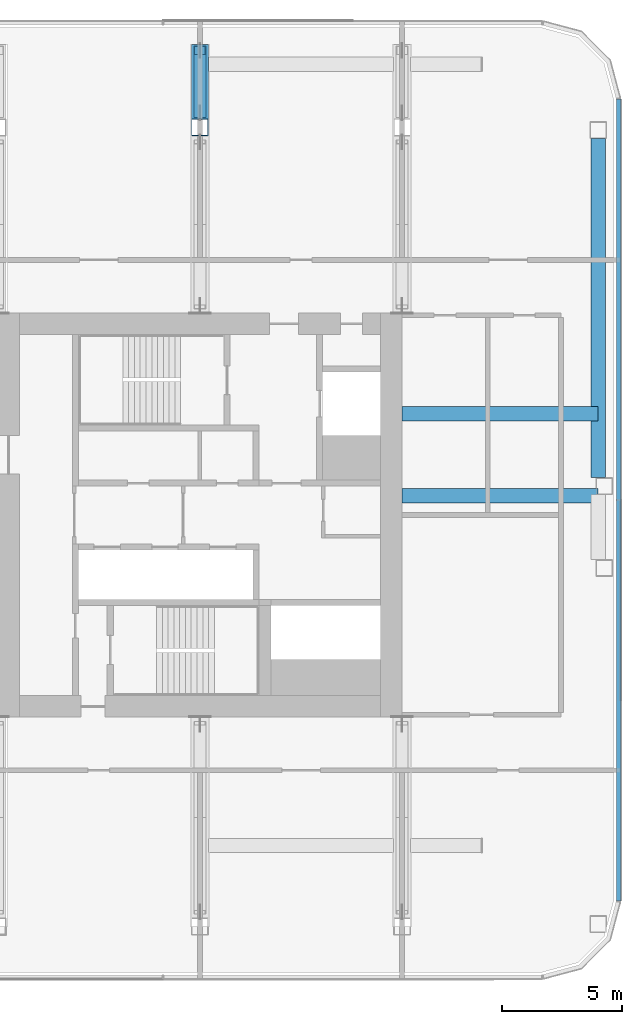
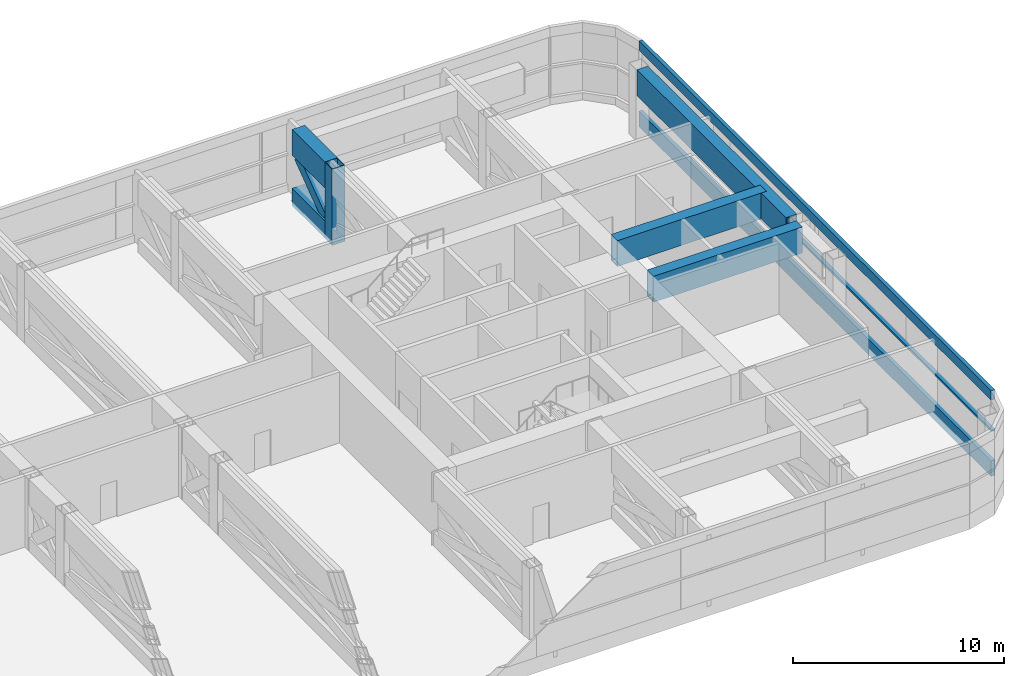
# One storey, part 12 of 33: 7 members, 3 beams, 1 element without a shape of its own.
"""IFC4 building model written with IfcOpenShell, lengths in metres."""

import ifcopenshell
import ifcopenshell.guid

model = None  # the IFC model being written
_history = None  # IfcOwnerHistory: only IFC2X3 demands one
_inside = {}  # id of a spatial element -> (the spatial element, [elements in it])
_under = {}  # id of a project, library or spatial element -> (it, [spatial elements below it])
_declared = {}  # id of a project -> (the project, [libraries it declares])
_typed = {}  # id of a type object -> (the type object, [elements of that type])
_made_of = {}  # id of a material, layer set ... -> (it, [elements and type objects made of it])


def new_model(schema):
    """Start an empty IFC model of exactly this schema.

    Asked for "IFC4X3", IfcOpenShell would pick the latest addendum, in which some entities
    have other attributes; the version numbers below select the first issue.
    IFC2X3 requires an IfcOwnerHistory on every rooted entity: one is made here for all.
    """
    global model, _history
    if schema == "IFC4X3":
        model = ifcopenshell.file(schema_version=(4, 3, 0, 0))
    else:
        model = ifcopenshell.file(schema=schema)
    _inside.clear()
    _under.clear()
    _declared.clear()
    _typed.clear()
    _made_of.clear()
    _history = None
    if model.schema == "IFC2X3":
        org = make("IfcOrganization", Name="unknown")
        user = make(
            "IfcPersonAndOrganization",
            ThePerson=make("IfcPerson", FamilyName="unknown"),
            TheOrganization=org,
        )
        app = make(
            "IfcApplication",
            ApplicationDeveloper=org,
            Version="unknown",
            ApplicationFullName="unknown",
            ApplicationIdentifier="unknown",
        )
        _history = make(
            "IfcOwnerHistory",
            OwningUser=user,
            OwningApplication=app,
            ChangeAction="ADDED",
            CreationDate=0,
        )
    return model


def make(cls, **values):
    """One entity of the class cls with the attributes given. An attribute that is None is left unset."""
    return model.create_entity(
        cls, **{name: value for name, value in values.items() if value is not None}
    )


def rooted(cls, **values):
    """An entity with a GlobalId (a new one), such as an element, a storey or a relation."""
    return make(cls, GlobalId=ifcopenshell.guid.new(), OwnerHistory=_history, **values)


def si_unit(unit_type, name, prefix=None):
    """IfcSIUnit, for example si_unit("LENGTHUNIT", "METRE", prefix="MILLI")."""
    return make("IfcSIUnit", UnitType=unit_type, Prefix=prefix, Name=name)


def assignment(units):
    """IfcUnitAssignment: the units of a project."""
    return None if units is None else make("IfcUnitAssignment", Units=units)


def point(xyz):
    """IfcCartesianPoint."""
    return None if xyz is None else make("IfcCartesianPoint", Coordinates=xyz)


def direction(xyz):
    """IfcDirection."""
    return None if xyz is None else make("IfcDirection", DirectionRatios=xyz)


def frame(location, z_axis=None, x_axis=None):
    """IfcAxis2Placement3D, a coordinate frame: its origin and axes. An axis left out is left unset."""
    return make(
        "IfcAxis2Placement3D",
        Location=point(location),
        Axis=direction(z_axis),
        RefDirection=direction(x_axis),
    )


def frame_2d(location, x_axis=None):
    """IfcAxis2Placement2D, a coordinate frame in the plane: its origin and x axis."""
    return make(
        "IfcAxis2Placement2D", Location=point(location), RefDirection=direction(x_axis)
    )


def origin():
    """The frame at (0, 0, 0) with its axes left unset."""
    return frame((0.0, 0.0, 0.0))


def origin_2d():
    """The frame at (0, 0) in the plane with its x axis left unset."""
    return frame_2d((0.0, 0.0))


def place(relative_to, where):
    """IfcLocalPlacement: puts the frame where relative to a parent placement (None: the world)."""
    return make(
        "IfcLocalPlacement", PlacementRelTo=relative_to, RelativePlacement=where
    )


def context(
    kind, dimensions, precision=None, world=None, true_north=None, identifier=None
):
    """IfcGeometricRepresentationContext, for example the 3D "Model" context."""
    return make(
        "IfcGeometricRepresentationContext",
        ContextIdentifier=identifier,
        ContextType=kind,
        CoordinateSpaceDimension=dimensions,
        Precision=precision,
        WorldCoordinateSystem=world,
        TrueNorth=true_north,
    )


def subcontext(parent, identifier, kind, view, scale=None):
    """IfcGeometricRepresentationSubContext, for example "Body" below "Model"."""
    return make(
        "IfcGeometricRepresentationSubContext",
        ContextIdentifier=identifier,
        ContextType=kind,
        ParentContext=parent,
        TargetScale=scale,
        TargetView=view,
    )


def project(units=None, contexts=None):
    """IfcProject with its units and contexts."""
    return rooted(
        "IfcProject",
        Name="project",
        RepresentationContexts=contexts,
        UnitsInContext=assignment(units),
    )


def spatial(cls, under=None, at=None, **own):
    """A site, building, storey or space (cls), placed at a placement, below another one or the project."""
    s = rooted(cls, ObjectPlacement=at, **own)
    if under is not None:
        _under.setdefault(under.id(), (under, []))[1].append(s)
    return s


def profile(cls, at=None, kind="AREA", **sizes):
    """A parametric profile (cls). Its sizes go by their IFC names, for example OverallWidth=200.0."""
    return make(cls, ProfileType=kind, Position=at, **sizes)


def rectangle(**sizes):
    """IfcRectangleProfileDef."""
    return profile("IfcRectangleProfileDef", **sizes)


def hollow_rectangle(**sizes):
    """IfcRectangleHollowProfileDef."""
    return profile("IfcRectangleHollowProfileDef", **sizes)


def extrude(swept, where, along, depth):
    """IfcExtrudedAreaSolid: the profile swept, set in the frame where, extruded along a direction by depth."""
    return make(
        "IfcExtrudedAreaSolid",
        SweptArea=swept,
        Position=where,
        ExtrudedDirection=direction(along),
        Depth=depth,
    )


def shape(context_of_items, identifier, shape_type, items):
    """IfcShapeRepresentation: the items that make up one representation, for example the "Body"."""
    return make(
        "IfcShapeRepresentation",
        ContextOfItems=context_of_items,
        RepresentationIdentifier=identifier,
        RepresentationType=shape_type,
        Items=items,
    )


def material(Name=None, Category=None):
    """IfcMaterial."""
    return make("IfcMaterial", Name=Name, Category=Category)


def layer(
    of_material, thickness, ventilated=None, Name=None, Category=None, Priority=None
):
    """IfcMaterialLayer: one layer of a wall or slab, of a material (None: an air gap)."""
    return make(
        "IfcMaterialLayer",
        Material=of_material,
        LayerThickness=thickness,
        IsVentilated=ventilated,
        Name=Name,
        Category=Category,
        Priority=Priority,
    )


def layer_set(layers, Name=None):
    """IfcMaterialLayerSet."""
    return make("IfcMaterialLayerSet", MaterialLayers=layers, LayerSetName=Name)


def material_profile(
    of_material, cross_section, Name=None, Category=None, Priority=None
):
    """IfcMaterialProfile: a cross section and its material."""
    return make(
        "IfcMaterialProfile",
        Name=Name,
        Material=of_material,
        Profile=cross_section,
        Priority=Priority,
        Category=Category,
    )


def profile_set(profiles, Name=None, composite=None):
    """IfcMaterialProfileSet."""
    return make(
        "IfcMaterialProfileSet",
        Name=Name,
        MaterialProfiles=profiles,
        CompositeProfile=composite,
    )


def made_of(thing, what):
    """Note that an element or type object is made of a material, layer set ...; save() writes the relation."""
    if what is not None:
        _made_of.setdefault(what.id(), (what, []))[1].append(thing)
    return thing


def type_object(cls, material=None, **own):
    """A type object (cls), such as IfcWallType, which elements share."""
    return made_of(rooted(cls, **own), material)


def element(
    cls,
    number,
    at=None,
    inside=None,
    cuts=None,
    type_object=None,
    material=None,
    context=None,
    identifier="Body",
    shape_type=None,
    held_by="IfcProductDefinitionShape",
    body=None,
    shapes=None,
    **own,
):
    """One element of the class cls, such as IfcWall. Its Tag is "e" and its number.

    at: its placement. inside: the storey or other place that contains it. cuts: it is an
    opening in that element (IfcRelVoidsElement). A single representation is given by context,
    identifier, shape_type and body (its items); several are given by shapes. held_by: the class
    of the entity that holds the representations. save() writes the other relations.
    """
    e = rooted(cls, Tag="e%d" % number, ObjectPlacement=at, **own)
    if body is not None:
        shapes = [shape(context, identifier, shape_type, body)]
    if shapes is not None:
        e.Representation = make(held_by, Representations=shapes)
    if inside is not None:
        _inside.setdefault(inside.id(), (inside, []))[1].append(e)
    if cuts is not None:
        rooted(
            "IfcRelVoidsElement", RelatingBuildingElement=cuts, RelatedOpeningElement=e
        )
    if type_object is not None:
        _typed.setdefault(type_object.id(), (type_object, []))[1].append(e)
    return made_of(e, material)


def aggregate(whole, parts):
    """IfcRelAggregates: a whole, such as a stair, and the parts it consists of."""
    return rooted("IfcRelAggregates", RelatingObject=whole, RelatedObjects=parts)


def save(model, path):
    """Write the relations noted so far, then the file.

    IfcRelAggregates (storeys below a building ...), IfcRelContainedInSpatialStructure (elements
    in a storey), IfcRelDefinesByType, IfcRelAssociatesMaterial and IfcRelDeclares: one each for
    every whole, place, type object, material and project.
    """
    for whole, parts in _under.values():
        aggregate(whole, parts)
    for where, things in _inside.values():
        rooted(
            "IfcRelContainedInSpatialStructure",
            RelatedElements=things,
            RelatingStructure=where,
        )
    for kind, things in _typed.values():
        rooted("IfcRelDefinesByType", RelatedObjects=things, RelatingType=kind)
    for what, things in _made_of.values():
        rooted("IfcRelAssociatesMaterial", RelatedObjects=things, RelatingMaterial=what)
    for by, libraries in _declared.values():
        rooted("IfcRelDeclares", RelatingContext=by, RelatedDefinitions=libraries)
    model.write(path)


model = new_model("IFC4")

# Units and contexts
model_context = context("Model", 3, precision=1e-05, world=origin(), true_north=direction((0.0, 1.0)))
body_context = subcontext(model_context, "Body", "Model", "MODEL_VIEW")
ifc_project = project(units=[si_unit("LENGTHUNIT", "METRE"), si_unit("AREAUNIT", "SQUARE_METRE"), si_unit("VOLUMEUNIT", "CUBIC_METRE"), si_unit("PLANEANGLEUNIT", "RADIAN"), si_unit("MASSUNIT", "GRAM", prefix="KILO")], contexts=[model_context])

# Site, building, storey
site_placement = place(None, origin())
site = spatial("IfcSite", under=ifc_project, at=site_placement, CompositionType="ELEMENT")
building_placement = place(site_placement, origin())
building = spatial("IfcBuilding", under=site, at=building_placement, Name="Hakoniwa Tower and Hamabe Station Hall", CompositionType="ELEMENT")
storey_placement = place(building_placement, frame((0.0, 0.0, 175.800048828125)))
storey = spatial("IfcBuildingStorey", under=building, at=storey_placement, Name="L50", CompositionType="ELEMENT", Elevation=175.800048828125)

# Curtain wall, members
ifc_material_1 = material(Name="Dark low-e laminated glass", Category="glass")
ifc_layer = layer(ifc_material_1, 0.199951171875)
ifc_layer_set = layer_set([ifc_layer], Name="CW-6 PLANT LOUVRE")
curtain_wall_type = type_object("IfcCurtainWallType", Name="CW-6 PLANT LOUVRE", PredefinedType="NOTDEFINED", material=ifc_layer_set)
curtain_wall_placement = place(storey_placement, origin())
curtain_wall = element("IfcCurtainWall", 1, at=curtain_wall_placement, inside=storey, type_object=curtain_wall_type, Name="CW-6 curtain wall", PredefinedType="NOTDEFINED")
ifc_material_2 = material(Name="Aluminium 6063-T5 black anodised", Category="aluminium")
ifc_material_profile_1 = material_profile(ifc_material_2, rectangle(XDim=0.199951171875, YDim=0.550048828125, at=origin_2d()), Name="CW HEAD BAND 550X200")
ifc_profile_set_1 = profile_set([ifc_material_profile_1], Name="Aluminium 6063-T5 black anodised")
member_type_1 = type_object("IfcMemberType", Name="CW HEAD BAND 550X200", PredefinedType="USERDEFINED", material=ifc_profile_set_1)
member_1_placement = place(storey_placement, frame((42.60009765625, -16.03955078125, 4.125), z_axis=(0.0, 1.0, 0.0), x_axis=(-1.0, 0.0, 0.0)))
member_1 = element("IfcMember", 2, at=member_1_placement, type_object=member_type_1, Name="CW-6 transom", ObjectType="TRANSOM", PredefinedType="USERDEFINED", context=body_context, shape_type="SweptSolid", body=[
    extrude(rectangle(XDim=0.199951171875, YDim=0.550048828125, at=origin_2d()), origin(), (0.0, 0.0, 1.0), 33.3291015625),
])
ifc_material_3 = material(Name="Aluminium 6063-T5 black anodised", Category="aluminium")
ifc_material_profile_2 = material_profile(ifc_material_3, rectangle(XDim=0.199951171875, YDim=0.1201171875, at=origin_2d()), Name="CW MID TRANSOM 120X200")
ifc_profile_set_2 = profile_set([ifc_material_profile_2], Name="Aluminium 6063-T5 black anodised")
member_type_2 = type_object("IfcMemberType", Name="CW MID TRANSOM 120X200", PredefinedType="USERDEFINED", material=ifc_profile_set_2)
member_2_placement = place(storey_placement, frame((42.60009765625, -16.03955078125, 2.099853515625), z_axis=(0.0, 1.0, 0.0), x_axis=(-1.0, 0.0, 0.0)))
member_2 = element("IfcMember", 3, at=member_2_placement, type_object=member_type_2, Name="CW-6 transom", ObjectType="TRANSOM", PredefinedType="USERDEFINED", context=body_context, shape_type="SweptSolid", body=[
    extrude(rectangle(XDim=0.199951171875, YDim=0.1201171875, at=origin_2d()), origin(), (0.0, 0.0, 1.0), 33.3291015625),
])
ifc_material_4 = material(Name="Aluminium 6063-T5 black anodised", Category="aluminium")
ifc_material_profile_3 = material_profile(ifc_material_4, rectangle(XDim=0.199951171875, YDim=0.89990234375, at=origin_2d()), Name="CW SLAB-EDGE BAND 900X200")
ifc_profile_set_3 = profile_set([ifc_material_profile_3], Name="Aluminium 6063-T5 black anodised")
member_type_3 = type_object("IfcMemberType", Name="CW SLAB-EDGE BAND 900X200", PredefinedType="USERDEFINED", material=ifc_profile_set_3)
member_3_placement = place(storey_placement, frame((42.60009765625, -16.03955078125, -0.10009765625), z_axis=(0.0, 1.0, 0.0), x_axis=(-1.0, 0.0, 0.0)))
member_3 = element("IfcMember", 4, at=member_3_placement, type_object=member_type_3, Name="CW-6 transom", ObjectType="TRANSOM", PredefinedType="USERDEFINED", context=body_context, shape_type="SweptSolid", body=[
    extrude(rectangle(XDim=0.199951171875, YDim=0.89990234375, at=origin_2d()), origin(), (0.0, 0.0, 1.0), 33.3291015625),
])
aggregate(curtain_wall, [member_3, member_2, member_1])

# Beams
ifc_material_5 = material(Name="Steel SN490C", Category="steel")
ifc_material_profile_4 = material_profile(ifc_material_5, hollow_rectangle(XDim=0.60009765625, YDim=1.5, WallThickness=0.054931640625, at=origin_2d()), Name="BX-1500x600x55")
ifc_profile_set_4 = profile_set([ifc_material_profile_4], Name="Steel SN490C")
beam_type = type_object("IfcBeamType", Name="TRANSFER GIRDER BX-1500x600x55", PredefinedType="BEAM", material=ifc_profile_set_4)
for number, where, z_axis, x_axis, name in (
    (5, (33.60009765625, 0.800048828125, 3.349853515625), (1.0, 0.0, 0.0), (0.0, 1.0, 0.0), "Truss L50-XG4"),
    (6, (33.60009765625, 4.199951171875, 3.349853515625), (1.0, 0.0, 0.0), (0.0, 1.0, 0.0), "Truss L50-XG6"),
):
    element("IfcBeam", number, at=place(storey_placement, frame(where, z_axis=z_axis, x_axis=x_axis)), inside=storey, type_object=beam_type, Name=name, PredefinedType="BEAM", context=body_context, shape_type="SweptSolid", body=[
        extrude(hollow_rectangle(XDim=0.60009765625, YDim=1.5, WallThickness=0.054931640625, at=origin_2d()), origin(), (0.0, 0.0, 1.0), 8.14794921875),
    ])
beam_placement = place(storey_placement, frame((41.748046875, 1.550048828125, 3.349853515625), z_axis=(0.0, 1.0, 0.0), x_axis=(-1.0, 0.0, 0.0)))
element("IfcBeam", 7, at=beam_placement, inside=storey, type_object=beam_type, Name="Truss L50-EB4", PredefinedType="BEAM", context=body_context, shape_type="SweptSolid", body=[
    extrude(hollow_rectangle(XDim=0.60009765625, YDim=1.5, WallThickness=0.054931640625, at=origin_2d()), origin(), (0.0, 0.0, 1.0), 14.093994140625),
])

# Members
ifc_material_6 = material(Name="Steel SN490C", Category="steel")
ifc_material_profile_5 = material_profile(ifc_material_6, hollow_rectangle(XDim=0.699951171875, YDim=1.0, WallThickness=0.0400390625, at=origin_2d()), Name="BX-1000x700x40")
ifc_profile_set_5 = profile_set([ifc_material_profile_5], Name="Steel SN490C")
member_type_4 = type_object("IfcMemberType", Name="TRUSS CHORD BX-1000x700x40", PredefinedType="CHORD", material=ifc_profile_set_5)
member_4_placement = place(storey_placement, frame((25.199951171875, 16.449951171875, 0.199951171875), z_axis=(0.0, 1.0, 0.0), x_axis=(-1.0, 0.0, 0.0)))
element("IfcMember", 8, at=member_4_placement, inside=storey, type_object=member_type_4, Name="Truss T3-17-BCH", PredefinedType="CHORD", context=body_context, shape_type="SweptSolid", body=[
    extrude(hollow_rectangle(XDim=0.699951171875, YDim=1.0, WallThickness=0.0400390625, at=origin_2d()), origin(), (0.0, 0.0, 1.0), 3.10009765625),
])
ifc_material_7 = material(Name="Steel SN490C", Category="steel")
ifc_material_profile_6 = material_profile(ifc_material_7, hollow_rectangle(XDim=0.699951171875, YDim=1.5, WallThickness=0.054931640625, at=origin_2d()), Name="BX-1500x700x55")
ifc_profile_set_6 = profile_set([ifc_material_profile_6], Name="Steel SN490C")
member_type_5 = type_object("IfcMemberType", Name="TRUSS CHORD BX-1500x700x55", PredefinedType="CHORD", material=ifc_profile_set_6)
member_5_placement = place(storey_placement, frame((25.199951171875, 16.449951171875, 3.349853515625), z_axis=(0.0, 1.0, 0.0), x_axis=(-1.0, 0.0, 0.0)))
element("IfcMember", 9, at=member_5_placement, inside=storey, type_object=member_type_5, Name="Truss T3-17-TCH", PredefinedType="CHORD", context=body_context, shape_type="SweptSolid", body=[
    extrude(hollow_rectangle(XDim=0.699951171875, YDim=1.5, WallThickness=0.054931640625, at=origin_2d()), origin(), (0.0, 0.0, 1.0), 3.10009765625),
])
ifc_material_8 = material(Name="Steel SN490C", Category="steel")
ifc_material_profile_7 = material_profile(ifc_material_8, hollow_rectangle(XDim=0.5, YDim=0.60009765625, WallThickness=0.028076171875, at=origin_2d()), Name="BX-600x500x28")
ifc_profile_set_7 = profile_set([ifc_material_profile_7], Name="Steel SN490C")
member_type_6 = type_object("IfcMemberType", Name="TRUSS DIAGONAL BX-600x500x28", PredefinedType="BRACE", material=ifc_profile_set_7)
member_6_placement = place(storey_placement, frame((25.199951171875, 16.699951171875, 0.699951171875), z_axis=(0.0, 0.807416124708, 0.589982373942), x_axis=(-1.0, 0.0, 0.0)))
element("IfcMember", 10, at=member_6_placement, inside=storey, type_object=member_type_6, Name="Truss T3-17-DHa", PredefinedType="BRACE", context=body_context, shape_type="SweptSolid", body=[
    extrude(hollow_rectangle(XDim=0.5, YDim=0.60009765625, WallThickness=0.028076171875, at=origin_2d()), origin(), (0.0, 0.0, 1.0), 3.22021484375),
])
ifc_material_9 = material(Name="Steel SN490C", Category="steel")
ifc_material_profile_8 = material_profile(ifc_material_9, hollow_rectangle(XDim=0.699951171875, YDim=0.699951171875, WallThickness=0.028076171875, at=origin_2d()), Name="BX-700x700x28")
ifc_profile_set_8 = profile_set([ifc_material_profile_8], Name="Steel SN490C")
member_type_7 = type_object("IfcMemberType", Name="TRUSS POST BX-700x700x28", PredefinedType="POST", material=ifc_profile_set_8)
member_7_placement = place(storey_placement, frame((25.199951171875, 16.10009765625, -0.300048828125), z_axis=(0.0, 0.0, 1.0), x_axis=(1.0, 0.0, 0.0)))
element("IfcMember", 11, at=member_7_placement, inside=storey, type_object=member_type_7, Name="Truss T3-17-P02", PredefinedType="POST", context=body_context, shape_type="SweptSolid", body=[
    extrude(hollow_rectangle(XDim=0.699951171875, YDim=0.699951171875, WallThickness=0.028076171875, at=origin_2d()), origin(), (0.0, 0.0, 1.0), 4.39990234375),
])

save(model, "model.ifc")
